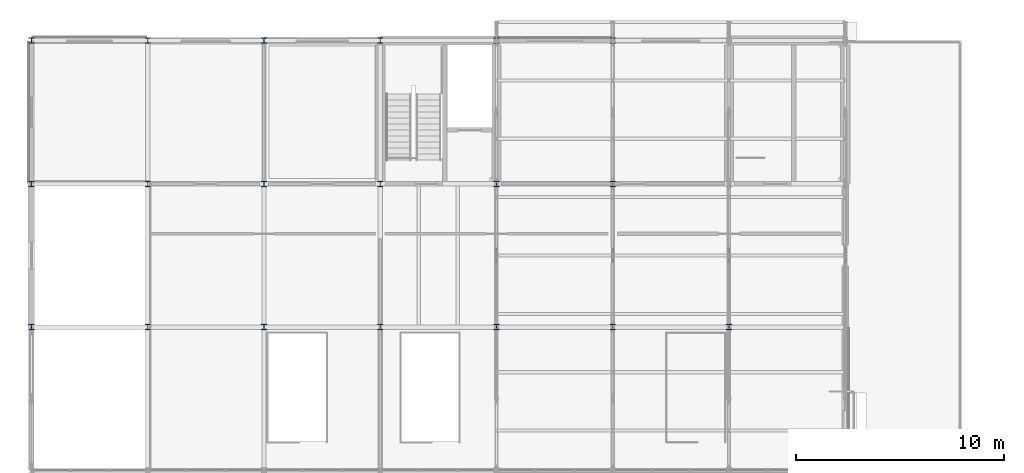
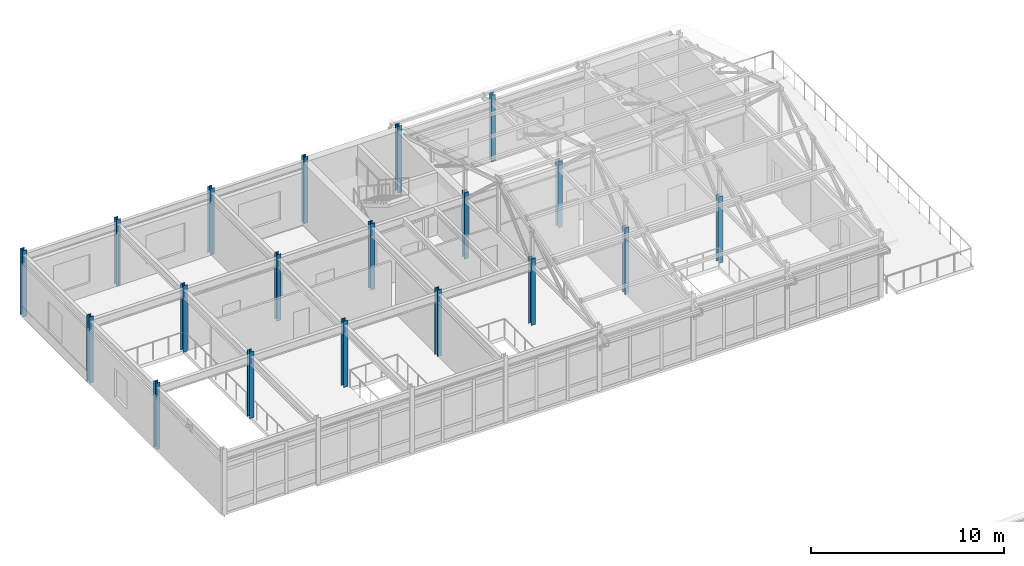
# One storey, part 13 of 144: 19 columns.
"""IFC4 building model written with IfcOpenShell, lengths in metres."""

import ifcopenshell
import ifcopenshell.guid

model = None  # the IFC model being written
_history = None  # IfcOwnerHistory: only IFC2X3 demands one
_inside = {}  # id of a spatial element -> (the spatial element, [elements in it])
_under = {}  # id of a project, library or spatial element -> (it, [spatial elements below it])
_declared = {}  # id of a project -> (the project, [libraries it declares])
_typed = {}  # id of a type object -> (the type object, [elements of that type])
_made_of = {}  # id of a material, layer set ... -> (it, [elements and type objects made of it])


def new_model(schema):
    """Start an empty IFC model of exactly this schema.

    Asked for "IFC4X3", IfcOpenShell would pick the latest addendum, in which some entities
    have other attributes; the version numbers below select the first issue.
    IFC2X3 requires an IfcOwnerHistory on every rooted entity: one is made here for all.
    """
    global model, _history
    if schema == "IFC4X3":
        model = ifcopenshell.file(schema_version=(4, 3, 0, 0))
    else:
        model = ifcopenshell.file(schema=schema)
    _inside.clear()
    _under.clear()
    _declared.clear()
    _typed.clear()
    _made_of.clear()
    _history = None
    if model.schema == "IFC2X3":
        org = make("IfcOrganization", Name="unknown")
        user = make(
            "IfcPersonAndOrganization",
            ThePerson=make("IfcPerson", FamilyName="unknown"),
            TheOrganization=org,
        )
        app = make(
            "IfcApplication",
            ApplicationDeveloper=org,
            Version="unknown",
            ApplicationFullName="unknown",
            ApplicationIdentifier="unknown",
        )
        _history = make(
            "IfcOwnerHistory",
            OwningUser=user,
            OwningApplication=app,
            ChangeAction="ADDED",
            CreationDate=0,
        )
    return model


def make(cls, **values):
    """One entity of the class cls with the attributes given. An attribute that is None is left unset."""
    return model.create_entity(
        cls, **{name: value for name, value in values.items() if value is not None}
    )


def rooted(cls, **values):
    """An entity with a GlobalId (a new one), such as an element, a storey or a relation."""
    return make(cls, GlobalId=ifcopenshell.guid.new(), OwnerHistory=_history, **values)


def si_unit(unit_type, name, prefix=None):
    """IfcSIUnit, for example si_unit("LENGTHUNIT", "METRE", prefix="MILLI")."""
    return make("IfcSIUnit", UnitType=unit_type, Prefix=prefix, Name=name)


def assignment(units):
    """IfcUnitAssignment: the units of a project."""
    return None if units is None else make("IfcUnitAssignment", Units=units)


def point(xyz):
    """IfcCartesianPoint."""
    return None if xyz is None else make("IfcCartesianPoint", Coordinates=xyz)


def direction(xyz):
    """IfcDirection."""
    return None if xyz is None else make("IfcDirection", DirectionRatios=xyz)


def frame(location, z_axis=None, x_axis=None):
    """IfcAxis2Placement3D, a coordinate frame: its origin and axes. An axis left out is left unset."""
    return make(
        "IfcAxis2Placement3D",
        Location=point(location),
        Axis=direction(z_axis),
        RefDirection=direction(x_axis),
    )


def frame_2d(location, x_axis=None):
    """IfcAxis2Placement2D, a coordinate frame in the plane: its origin and x axis."""
    return make(
        "IfcAxis2Placement2D", Location=point(location), RefDirection=direction(x_axis)
    )


def origin():
    """The frame at (0, 0, 0) with its axes left unset."""
    return frame((0.0, 0.0, 0.0))


def origin_2d():
    """The frame at (0, 0) in the plane with its x axis left unset."""
    return frame_2d((0.0, 0.0))


def place(relative_to, where):
    """IfcLocalPlacement: puts the frame where relative to a parent placement (None: the world)."""
    return make(
        "IfcLocalPlacement", PlacementRelTo=relative_to, RelativePlacement=where
    )


def context(
    kind, dimensions, precision=None, world=None, true_north=None, identifier=None
):
    """IfcGeometricRepresentationContext, for example the 3D "Model" context."""
    return make(
        "IfcGeometricRepresentationContext",
        ContextIdentifier=identifier,
        ContextType=kind,
        CoordinateSpaceDimension=dimensions,
        Precision=precision,
        WorldCoordinateSystem=world,
        TrueNorth=true_north,
    )


def subcontext(parent, identifier, kind, view, scale=None):
    """IfcGeometricRepresentationSubContext, for example "Body" below "Model"."""
    return make(
        "IfcGeometricRepresentationSubContext",
        ContextIdentifier=identifier,
        ContextType=kind,
        ParentContext=parent,
        TargetScale=scale,
        TargetView=view,
    )


def project(units=None, contexts=None):
    """IfcProject with its units and contexts."""
    return rooted(
        "IfcProject",
        Name="project",
        RepresentationContexts=contexts,
        UnitsInContext=assignment(units),
    )


def spatial(cls, under=None, at=None, **own):
    """A site, building, storey or space (cls), placed at a placement, below another one or the project."""
    s = rooted(cls, ObjectPlacement=at, **own)
    if under is not None:
        _under.setdefault(under.id(), (under, []))[1].append(s)
    return s


def profile(cls, at=None, kind="AREA", **sizes):
    """A parametric profile (cls). Its sizes go by their IFC names, for example OverallWidth=200.0."""
    return make(cls, ProfileType=kind, Position=at, **sizes)


def i_section(**sizes):
    """IfcIShapeProfileDef."""
    return profile("IfcIShapeProfileDef", **sizes)


def extrude(swept, where, along, depth):
    """IfcExtrudedAreaSolid: the profile swept, set in the frame where, extruded along a direction by depth."""
    return make(
        "IfcExtrudedAreaSolid",
        SweptArea=swept,
        Position=where,
        ExtrudedDirection=direction(along),
        Depth=depth,
    )


def shape(context_of_items, identifier, shape_type, items):
    """IfcShapeRepresentation: the items that make up one representation, for example the "Body"."""
    return make(
        "IfcShapeRepresentation",
        ContextOfItems=context_of_items,
        RepresentationIdentifier=identifier,
        RepresentationType=shape_type,
        Items=items,
    )


def material(Name=None, Category=None):
    """IfcMaterial."""
    return make("IfcMaterial", Name=Name, Category=Category)


def material_profile(
    of_material, cross_section, Name=None, Category=None, Priority=None
):
    """IfcMaterialProfile: a cross section and its material."""
    return make(
        "IfcMaterialProfile",
        Name=Name,
        Material=of_material,
        Profile=cross_section,
        Priority=Priority,
        Category=Category,
    )


def profile_set(profiles, Name=None, composite=None):
    """IfcMaterialProfileSet."""
    return make(
        "IfcMaterialProfileSet",
        Name=Name,
        MaterialProfiles=profiles,
        CompositeProfile=composite,
    )


def made_of(thing, what):
    """Note that an element or type object is made of a material, layer set ...; save() writes the relation."""
    if what is not None:
        _made_of.setdefault(what.id(), (what, []))[1].append(thing)
    return thing


def type_object(cls, material=None, **own):
    """A type object (cls), such as IfcWallType, which elements share."""
    return made_of(rooted(cls, **own), material)


def element(
    cls,
    number,
    at=None,
    inside=None,
    cuts=None,
    type_object=None,
    material=None,
    context=None,
    identifier="Body",
    shape_type=None,
    held_by="IfcProductDefinitionShape",
    body=None,
    shapes=None,
    **own,
):
    """One element of the class cls, such as IfcWall. Its Tag is "e" and its number.

    at: its placement. inside: the storey or other place that contains it. cuts: it is an
    opening in that element (IfcRelVoidsElement). A single representation is given by context,
    identifier, shape_type and body (its items); several are given by shapes. held_by: the class
    of the entity that holds the representations. save() writes the other relations.
    """
    e = rooted(cls, Tag="e%d" % number, ObjectPlacement=at, **own)
    if body is not None:
        shapes = [shape(context, identifier, shape_type, body)]
    if shapes is not None:
        e.Representation = make(held_by, Representations=shapes)
    if inside is not None:
        _inside.setdefault(inside.id(), (inside, []))[1].append(e)
    if cuts is not None:
        rooted(
            "IfcRelVoidsElement", RelatingBuildingElement=cuts, RelatedOpeningElement=e
        )
    if type_object is not None:
        _typed.setdefault(type_object.id(), (type_object, []))[1].append(e)
    return made_of(e, material)


def aggregate(whole, parts):
    """IfcRelAggregates: a whole, such as a stair, and the parts it consists of."""
    return rooted("IfcRelAggregates", RelatingObject=whole, RelatedObjects=parts)


def save(model, path):
    """Write the relations noted so far, then the file.

    IfcRelAggregates (storeys below a building ...), IfcRelContainedInSpatialStructure (elements
    in a storey), IfcRelDefinesByType, IfcRelAssociatesMaterial and IfcRelDeclares: one each for
    every whole, place, type object, material and project.
    """
    for whole, parts in _under.values():
        aggregate(whole, parts)
    for where, things in _inside.values():
        rooted(
            "IfcRelContainedInSpatialStructure",
            RelatedElements=things,
            RelatingStructure=where,
        )
    for kind, things in _typed.values():
        rooted("IfcRelDefinesByType", RelatedObjects=things, RelatingType=kind)
    for what, things in _made_of.values():
        rooted("IfcRelAssociatesMaterial", RelatedObjects=things, RelatingMaterial=what)
    for by, libraries in _declared.values():
        rooted("IfcRelDeclares", RelatingContext=by, RelatedDefinitions=libraries)
    model.write(path)


model = new_model("IFC4")

# Units and contexts
model_context = context("Model", 3, precision=1e-05, world=origin(), true_north=direction((0.0, 1.0)))
body_context = subcontext(model_context, "Body", "Model", "MODEL_VIEW")
ifc_project = project(units=[si_unit("LENGTHUNIT", "METRE"), si_unit("AREAUNIT", "SQUARE_METRE"), si_unit("VOLUMEUNIT", "CUBIC_METRE"), si_unit("PLANEANGLEUNIT", "RADIAN"), si_unit("MASSUNIT", "GRAM", prefix="KILO")], contexts=[model_context])

# Site, building, storey
site_placement = place(None, origin())
site = spatial("IfcSite", under=ifc_project, at=site_placement, CompositionType="ELEMENT")
building_placement = place(site_placement, origin())
building = spatial("IfcBuilding", under=site, at=building_placement, Name="Trelmorton Wharf Fire Station", CompositionType="ELEMENT")
storey_placement = place(building_placement, frame((0.0, 0.0, 5.39990234375)))
storey = spatial("IfcBuildingStorey", under=building, at=storey_placement, Name="L01", CompositionType="ELEMENT", Elevation=5.39990234375)

# Columns
ifc_material = material(Name="Steel Grade 350", Category="steel")
ifc_material_profile = material_profile(ifc_material, i_section(OverallWidth=0.256103515625, OverallDepth=0.260009765625, WebThickness=0.010498046875, FlangeThickness=0.017333984375, FilletRadius=0.0126953125, at=origin_2d()), Name="250UC89.5")
ifc_profile_set = profile_set([ifc_material_profile], Name="Steel Grade 350")
column_type = type_object("IfcColumnType", Name="COL_250UC89", PredefinedType="COLUMN", material=ifc_profile_set)
for number, where, z_axis, x_axis, name in (
    (1, (0.800048828125, 67.199951171875, 0.0), (0.0, 0.0, 1.0), (1.0, 0.0, 0.0), "COL-L01-0253"),
    (2, (0.800048828125, 74.10009765625, 0.0), (0.0, 0.0, 1.0), (1.0, 0.0, 0.0), "COL-L01-0254"),
    (3, (0.800048828125, 81.0, 0.0), (0.0, 0.0, 1.0), (1.0, 0.0, 0.0), "COL-L01-0255"),
    (4, (6.39990234375, 67.199951171875, 0.0), (0.0, 0.0, 1.0), (1.0, 0.0, 0.0), "COL-L01-0263"),
    (5, (6.39990234375, 74.10009765625, 0.0), (0.0, 0.0, 1.0), (1.0, 0.0, 0.0), "COL-L01-0264"),
    (6, (6.39990234375, 81.0, 0.0), (0.0, 0.0, 1.0), (1.0, 0.0, 0.0), "COL-L01-0265"),
    (7, (12.0, 67.199951171875, 0.0), (0.0, 0.0, 1.0), (1.0, 0.0, 0.0), "COL-L01-0271"),
    (8, (12.0, 74.10009765625, 0.0), (0.0, 0.0, 1.0), (1.0, 0.0, 0.0), "COL-L01-0272"),
    (9, (12.0, 81.0, 0.0), (0.0, 0.0, 1.0), (1.0, 0.0, 0.0), "COL-L01-0273"),
    (10, (17.60009765625, 67.199951171875, 0.0), (0.0, 0.0, 1.0), (1.0, 0.0, 0.0), "COL-L01-0279"),
    (11, (17.60009765625, 74.10009765625, 0.0), (0.0, 0.0, 1.0), (1.0, 0.0, 0.0), "COL-L01-0280"),
    (12, (17.60009765625, 81.0, 0.0), (0.0, 0.0, 1.0), (1.0, 0.0, 0.0), "COL-L01-0281"),
    (13, (23.199951171875, 67.199951171875, 0.0), (0.0, 0.0, 1.0), (1.0, 0.0, 0.0), "COL-L01-0287"),
    (14, (23.199951171875, 74.10009765625, 0.0), (0.0, 0.0, 1.0), (1.0, 0.0, 0.0), "COL-L01-0288"),
    (15, (23.199951171875, 81.0, 0.0), (0.0, 0.0, 1.0), (1.0, 0.0, 0.0), "COL-L01-0289"),
    (16, (28.800048828125, 67.199951171875, 0.0), (0.0, 0.0, 1.0), (1.0, 0.0, 0.0), "COL-L01-0295"),
    (17, (28.800048828125, 74.10009765625, 0.0), (0.0, 0.0, 1.0), (1.0, 0.0, 0.0), "COL-L01-0296"),
    (18, (28.800048828125, 81.0, 0.0), (0.0, 0.0, 1.0), (1.0, 0.0, 0.0), "COL-L01-0297"),
    (19, (34.39990234375, 67.199951171875, 0.0), (0.0, 0.0, 1.0), (1.0, 0.0, 0.0), "COL-L01-0303"),
):
    element("IfcColumn", number, at=place(storey_placement, frame(where, z_axis=z_axis, x_axis=x_axis)), inside=storey, type_object=column_type, Name=name, PredefinedType="COLUMN", context=body_context, shape_type="SweptSolid", body=[
        extrude(i_section(OverallWidth=0.256103515625, OverallDepth=0.260009765625, WebThickness=0.010498046875, FlangeThickness=0.017333984375, FilletRadius=0.0126953125, at=origin_2d()), origin(), (0.0, 0.0, 1.0), 4.2001953125),
    ])

save(model, "model.ifc")
